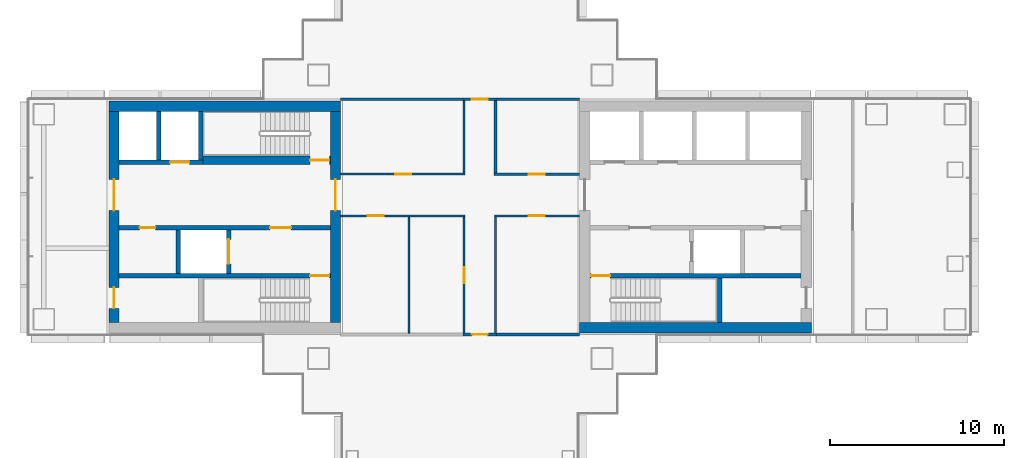
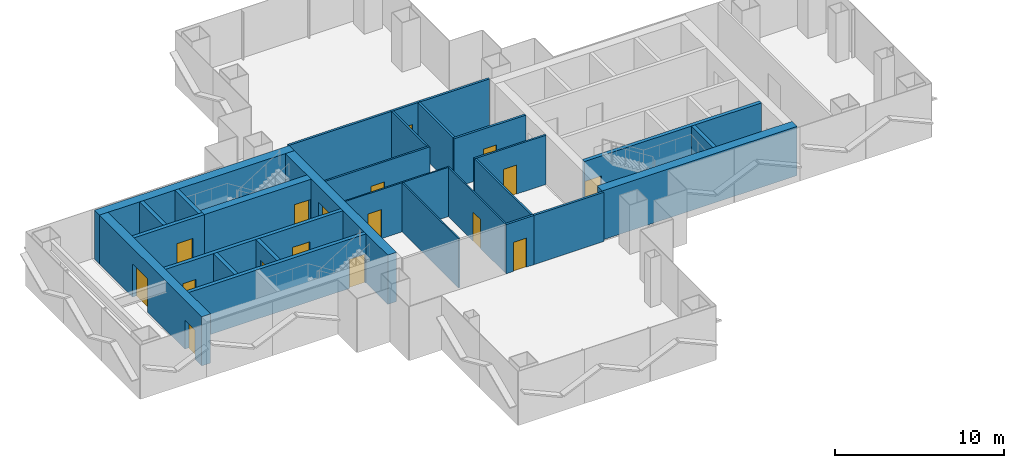
# One storey, part 12 of 18: 28 walls, 17 doors, 17 openings.
"""IFC4 building model written with IfcOpenShell, lengths in metres."""

import ifcopenshell
import ifcopenshell.guid

model = None  # the IFC model being written
_history = None  # IfcOwnerHistory: only IFC2X3 demands one
_inside = {}  # id of a spatial element -> (the spatial element, [elements in it])
_under = {}  # id of a project, library or spatial element -> (it, [spatial elements below it])
_declared = {}  # id of a project -> (the project, [libraries it declares])
_typed = {}  # id of a type object -> (the type object, [elements of that type])
_made_of = {}  # id of a material, layer set ... -> (it, [elements and type objects made of it])


def new_model(schema):
    """Start an empty IFC model of exactly this schema.

    Asked for "IFC4X3", IfcOpenShell would pick the latest addendum, in which some entities
    have other attributes; the version numbers below select the first issue.
    IFC2X3 requires an IfcOwnerHistory on every rooted entity: one is made here for all.
    """
    global model, _history
    if schema == "IFC4X3":
        model = ifcopenshell.file(schema_version=(4, 3, 0, 0))
    else:
        model = ifcopenshell.file(schema=schema)
    _inside.clear()
    _under.clear()
    _declared.clear()
    _typed.clear()
    _made_of.clear()
    _history = None
    if model.schema == "IFC2X3":
        org = make("IfcOrganization", Name="unknown")
        user = make(
            "IfcPersonAndOrganization",
            ThePerson=make("IfcPerson", FamilyName="unknown"),
            TheOrganization=org,
        )
        app = make(
            "IfcApplication",
            ApplicationDeveloper=org,
            Version="unknown",
            ApplicationFullName="unknown",
            ApplicationIdentifier="unknown",
        )
        _history = make(
            "IfcOwnerHistory",
            OwningUser=user,
            OwningApplication=app,
            ChangeAction="ADDED",
            CreationDate=0,
        )
    return model


def make(cls, **values):
    """One entity of the class cls with the attributes given. An attribute that is None is left unset."""
    return model.create_entity(
        cls, **{name: value for name, value in values.items() if value is not None}
    )


def rooted(cls, **values):
    """An entity with a GlobalId (a new one), such as an element, a storey or a relation."""
    return make(cls, GlobalId=ifcopenshell.guid.new(), OwnerHistory=_history, **values)


def si_unit(unit_type, name, prefix=None):
    """IfcSIUnit, for example si_unit("LENGTHUNIT", "METRE", prefix="MILLI")."""
    return make("IfcSIUnit", UnitType=unit_type, Prefix=prefix, Name=name)


def assignment(units):
    """IfcUnitAssignment: the units of a project."""
    return None if units is None else make("IfcUnitAssignment", Units=units)


def point(xyz):
    """IfcCartesianPoint."""
    return None if xyz is None else make("IfcCartesianPoint", Coordinates=xyz)


def direction(xyz):
    """IfcDirection."""
    return None if xyz is None else make("IfcDirection", DirectionRatios=xyz)


def frame(location, z_axis=None, x_axis=None):
    """IfcAxis2Placement3D, a coordinate frame: its origin and axes. An axis left out is left unset."""
    return make(
        "IfcAxis2Placement3D",
        Location=point(location),
        Axis=direction(z_axis),
        RefDirection=direction(x_axis),
    )


def frame_2d(location, x_axis=None):
    """IfcAxis2Placement2D, a coordinate frame in the plane: its origin and x axis."""
    return make(
        "IfcAxis2Placement2D", Location=point(location), RefDirection=direction(x_axis)
    )


def origin():
    """The frame at (0, 0, 0) with its axes left unset."""
    return frame((0.0, 0.0, 0.0))


def place(relative_to, where):
    """IfcLocalPlacement: puts the frame where relative to a parent placement (None: the world)."""
    return make(
        "IfcLocalPlacement", PlacementRelTo=relative_to, RelativePlacement=where
    )


def context(
    kind, dimensions, precision=None, world=None, true_north=None, identifier=None
):
    """IfcGeometricRepresentationContext, for example the 3D "Model" context."""
    return make(
        "IfcGeometricRepresentationContext",
        ContextIdentifier=identifier,
        ContextType=kind,
        CoordinateSpaceDimension=dimensions,
        Precision=precision,
        WorldCoordinateSystem=world,
        TrueNorth=true_north,
    )


def subcontext(parent, identifier, kind, view, scale=None):
    """IfcGeometricRepresentationSubContext, for example "Body" below "Model"."""
    return make(
        "IfcGeometricRepresentationSubContext",
        ContextIdentifier=identifier,
        ContextType=kind,
        ParentContext=parent,
        TargetScale=scale,
        TargetView=view,
    )


def project(units=None, contexts=None):
    """IfcProject with its units and contexts."""
    return rooted(
        "IfcProject",
        Name="project",
        RepresentationContexts=contexts,
        UnitsInContext=assignment(units),
    )


def spatial(cls, under=None, at=None, **own):
    """A site, building, storey or space (cls), placed at a placement, below another one or the project."""
    s = rooted(cls, ObjectPlacement=at, **own)
    if under is not None:
        _under.setdefault(under.id(), (under, []))[1].append(s)
    return s


def profile(cls, at=None, kind="AREA", **sizes):
    """A parametric profile (cls). Its sizes go by their IFC names, for example OverallWidth=200.0."""
    return make(cls, ProfileType=kind, Position=at, **sizes)


def rectangle(**sizes):
    """IfcRectangleProfileDef."""
    return profile("IfcRectangleProfileDef", **sizes)


def extrude(swept, where, along, depth):
    """IfcExtrudedAreaSolid: the profile swept, set in the frame where, extruded along a direction by depth."""
    return make(
        "IfcExtrudedAreaSolid",
        SweptArea=swept,
        Position=where,
        ExtrudedDirection=direction(along),
        Depth=depth,
    )


def shape(context_of_items, identifier, shape_type, items):
    """IfcShapeRepresentation: the items that make up one representation, for example the "Body"."""
    return make(
        "IfcShapeRepresentation",
        ContextOfItems=context_of_items,
        RepresentationIdentifier=identifier,
        RepresentationType=shape_type,
        Items=items,
    )


def material(Name=None, Category=None):
    """IfcMaterial."""
    return make("IfcMaterial", Name=Name, Category=Category)


def layer(
    of_material, thickness, ventilated=None, Name=None, Category=None, Priority=None
):
    """IfcMaterialLayer: one layer of a wall or slab, of a material (None: an air gap)."""
    return make(
        "IfcMaterialLayer",
        Material=of_material,
        LayerThickness=thickness,
        IsVentilated=ventilated,
        Name=Name,
        Category=Category,
        Priority=Priority,
    )


def layer_set(layers, Name=None):
    """IfcMaterialLayerSet."""
    return make("IfcMaterialLayerSet", MaterialLayers=layers, LayerSetName=Name)


def made_of(thing, what):
    """Note that an element or type object is made of a material, layer set ...; save() writes the relation."""
    if what is not None:
        _made_of.setdefault(what.id(), (what, []))[1].append(thing)
    return thing


def type_object(cls, material=None, **own):
    """A type object (cls), such as IfcWallType, which elements share."""
    return made_of(rooted(cls, **own), material)


def element(
    cls,
    number,
    at=None,
    inside=None,
    cuts=None,
    type_object=None,
    material=None,
    context=None,
    identifier="Body",
    shape_type=None,
    held_by="IfcProductDefinitionShape",
    body=None,
    shapes=None,
    **own,
):
    """One element of the class cls, such as IfcWall. Its Tag is "e" and its number.

    at: its placement. inside: the storey or other place that contains it. cuts: it is an
    opening in that element (IfcRelVoidsElement). A single representation is given by context,
    identifier, shape_type and body (its items); several are given by shapes. held_by: the class
    of the entity that holds the representations. save() writes the other relations.
    """
    e = rooted(cls, Tag="e%d" % number, ObjectPlacement=at, **own)
    if body is not None:
        shapes = [shape(context, identifier, shape_type, body)]
    if shapes is not None:
        e.Representation = make(held_by, Representations=shapes)
    if inside is not None:
        _inside.setdefault(inside.id(), (inside, []))[1].append(e)
    if cuts is not None:
        rooted(
            "IfcRelVoidsElement", RelatingBuildingElement=cuts, RelatedOpeningElement=e
        )
    if type_object is not None:
        _typed.setdefault(type_object.id(), (type_object, []))[1].append(e)
    return made_of(e, material)


def fill(opening, filler):
    """IfcRelFillsElement: the door or window that sits in an opening."""
    return rooted(
        "IfcRelFillsElement",
        RelatingOpeningElement=opening,
        RelatedBuildingElement=filler,
    )


def aggregate(whole, parts):
    """IfcRelAggregates: a whole, such as a stair, and the parts it consists of."""
    return rooted("IfcRelAggregates", RelatingObject=whole, RelatedObjects=parts)


def save(model, path):
    """Write the relations noted so far, then the file.

    IfcRelAggregates (storeys below a building ...), IfcRelContainedInSpatialStructure (elements
    in a storey), IfcRelDefinesByType, IfcRelAssociatesMaterial and IfcRelDeclares: one each for
    every whole, place, type object, material and project.
    """
    for whole, parts in _under.values():
        aggregate(whole, parts)
    for where, things in _inside.values():
        rooted(
            "IfcRelContainedInSpatialStructure",
            RelatedElements=things,
            RelatingStructure=where,
        )
    for kind, things in _typed.values():
        rooted("IfcRelDefinesByType", RelatedObjects=things, RelatingType=kind)
    for what, things in _made_of.values():
        rooted("IfcRelAssociatesMaterial", RelatedObjects=things, RelatingMaterial=what)
    for by, libraries in _declared.values():
        rooted("IfcRelDeclares", RelatingContext=by, RelatedDefinitions=libraries)
    model.write(path)


model = new_model("IFC4")

# Units and contexts
model_context = context("Model", 3, precision=1e-05, world=origin(), true_north=direction((0.0, 1.0)))
body_context = subcontext(model_context, "Body", "Model", "MODEL_VIEW")
ifc_project = project(units=[si_unit("LENGTHUNIT", "METRE"), si_unit("AREAUNIT", "SQUARE_METRE"), si_unit("VOLUMEUNIT", "CUBIC_METRE"), si_unit("PLANEANGLEUNIT", "RADIAN"), si_unit("MASSUNIT", "GRAM", prefix="KILO")], contexts=[model_context])

# Site, building, storey
site_placement = place(None, origin())
site = spatial("IfcSite", under=ifc_project, at=site_placement, CompositionType="ELEMENT")
building_placement = place(site_placement, origin())
building = spatial("IfcBuilding", under=site, at=building_placement, Name="Shamsa Quay Exchange Towers", CompositionType="ELEMENT")
storey_placement = place(building_placement, frame((0.0, 0.0, 117.0)))
storey = spatial("IfcBuildingStorey", under=building, at=storey_placement, Name="L27", CompositionType="ELEMENT", Elevation=117.0)

# Walls
ifc_material_1 = material(Name="Concrete C70/85", Category="concrete")
ifc_layer_1 = layer(ifc_material_1, 0.60009765625)
ifc_layer_set_1 = layer_set([ifc_layer_1], Name="CORE WALL 600 C70/85")
wall_type_1 = type_object("IfcWallType", Name="CORE WALL 600 C70/85", PredefinedType="SHEAR", material=ifc_layer_set_1)
wall_1_placement = place(storey_placement, frame((-26.89990234375, -6.35009765625, 0.0)))
element("IfcWall", 1, at=wall_1_placement, inside=storey, type_object=wall_type_1, Name="Core wall T1A-R12-PS", PredefinedType="SHEAR", context=body_context, shape_type="SweptSolid", body=[
    extrude(rectangle(XDim=13.2998046875, YDim=0.60009765625, at=frame_2d((6.64990234375, 0.0))), origin(), (0.0, 0.0, 1.0), 3.550048828125),
])
wall_2_placement = place(storey_placement, frame((-40.60009765625, 6.35009765625, 0.0), z_axis=(0.0, 0.0, 1.0), x_axis=(-1.0, 0.0, 0.0)))
element("IfcWall", 2, at=wall_2_placement, inside=storey, type_object=wall_type_1, Name="Core wall T1B-R12-PN", PredefinedType="SHEAR", context=body_context, shape_type="SweptSolid", body=[
    extrude(rectangle(XDim=13.2998046875, YDim=0.60009765625, at=frame_2d((6.64990234375, 0.0))), origin(), (0.0, 0.0, 1.0), 3.550048828125),
])

# Wall, opening, door
wall_3_placement = place(storey_placement, frame((-40.89990234375, -6.050048828125, 0.0), z_axis=(0.0, 0.0, 1.0), x_axis=(0.0, 1.0, 0.0)))
wall_3 = element("IfcWall", 3, at=wall_3_placement, inside=storey, type_object=wall_type_1, Name="Core wall T1B-R12-PF", PredefinedType="SHEAR", context=body_context, shape_type="SweptSolid", body=[
    extrude(rectangle(XDim=12.10009765625, YDim=0.60009765625, at=frame_2d((6.050048828125, 0.0))), origin(), (0.0, 0.0, 1.0), 3.550048828125),
])
opening_1_placement = place(wall_3_placement, frame((6.39990234375, 0.0, 0.0)))
opening_1 = element("IfcOpeningElement", 4, at=opening_1_placement, cuts=wall_3, Name="Opening T1B-R12-LBD01", PredefinedType="OPENING", context=body_context, shape_type="SweptSolid", body=[
    extrude(rectangle(XDim=1.800048828125, YDim=2.39990234375, at=frame_2d((0.89990234375, 1.199951171875))), frame((0.0, 0.31005859375, 0.0), z_axis=(0.0, -1.0, 0.0), x_axis=(1.0, 0.0, 0.0)), (0.0, 0.0, 1.0), 0.6201171875),
])
ifc_material_2 = material(Name="Steel, fire rated", Category="steel")
door_type_1 = type_object("IfcDoorType", Name="LIFT LOBBY DOOR PAIR 1800", OperationType="DOUBLE_DOOR_SINGLE_SWING", PredefinedType="DOOR", material=ifc_material_2)
door_1_placement = place(opening_1_placement, origin())
door_1 = element("IfcDoor", 5, at=door_1_placement, inside=storey, type_object=door_type_1, Name="T1B-R12-LBD01", OperationType="DOUBLE_DOOR_SINGLE_SWING", OverallHeight=2.39990234375, OverallWidth=1.800048828125, PredefinedType="DOOR", context=body_context, shape_type="SweptSolid", body=[
    extrude(rectangle(XDim=1.800048828125, YDim=2.39990234375, at=frame_2d((0.89990234375, 1.199951171875))), frame((0.0, 0.02490234375, 0.0), z_axis=(0.0, -1.0, 0.0), x_axis=(1.0, 0.0, 0.0)), (0.0, 0.0, 1.0), 0.050048828125),
])
fill(opening_1, door_1)

# Wall, openings, doors
wall_4_placement = place(storey_placement, frame((-53.60009765625, -6.050048828125, 0.0), z_axis=(0.0, 0.0, 1.0), x_axis=(0.0, 1.0, 0.0)))
wall_4 = element("IfcWall", 6, at=wall_4_placement, inside=storey, type_object=wall_type_1, Name="Core wall T1B-R12-PB", PredefinedType="SHEAR", context=body_context, shape_type="SweptSolid", body=[
    extrude(rectangle(XDim=12.10009765625, YDim=0.60009765625, at=frame_2d((6.050048828125, 0.0))), origin(), (0.0, 0.0, 1.0), 3.550048828125),
])
opening_2_placement = place(wall_4_placement, frame((0.800048828125, 0.0, 0.0)))
opening_2 = element("IfcOpeningElement", 7, at=opening_2_placement, cuts=wall_4, Name="Opening T1B-R12-RD02", PredefinedType="OPENING", context=body_context, shape_type="SweptSolid", body=[
    extrude(rectangle(XDim=1.199951171875, YDim=2.10009765625, at=frame_2d((0.60009765625, 1.050048828125))), frame((0.0, 0.31005859375, 0.0), z_axis=(0.0, -1.0, 0.0), x_axis=(1.0, 0.0, 0.0)), (0.0, 0.0, 1.0), 0.6201171875),
])
opening_3_placement = place(wall_4_placement, frame((6.39990234375, 0.0, 0.0)))
opening_3 = element("IfcOpeningElement", 8, at=opening_3_placement, cuts=wall_4, Name="Opening T1B-R12-LBD03", PredefinedType="OPENING", context=body_context, shape_type="SweptSolid", body=[
    extrude(rectangle(XDim=1.800048828125, YDim=2.39990234375, at=frame_2d((0.89990234375, 1.199951171875))), frame((0.0, 0.31005859375, 0.0), z_axis=(0.0, -1.0, 0.0), x_axis=(1.0, 0.0, 0.0)), (0.0, 0.0, 1.0), 0.6201171875),
])
door_2_placement = place(opening_3_placement, origin())
door_2 = element("IfcDoor", 9, at=door_2_placement, inside=storey, type_object=door_type_1, Name="T1B-R12-LBD03", OperationType="DOUBLE_DOOR_SINGLE_SWING", OverallHeight=2.39990234375, OverallWidth=1.800048828125, PredefinedType="DOOR", context=body_context, shape_type="SweptSolid", body=[
    extrude(rectangle(XDim=1.800048828125, YDim=2.39990234375, at=frame_2d((0.89990234375, 1.199951171875))), frame((0.0, 0.02490234375, 0.0), z_axis=(0.0, -1.0, 0.0), x_axis=(1.0, 0.0, 0.0)), (0.0, 0.0, 1.0), 0.050048828125),
])
fill(opening_3, door_2)
door_type_2 = type_object("IfcDoorType", Name="RISER ACCESS DOOR 1200", OperationType="SINGLE_SWING_LEFT", PredefinedType="DOOR", material=ifc_material_2)
door_3_placement = place(opening_2_placement, origin())
door_3 = element("IfcDoor", 10, at=door_3_placement, inside=storey, type_object=door_type_2, Name="T1B-R12-RD02", OperationType="SINGLE_SWING_LEFT", OverallHeight=2.10009765625, OverallWidth=1.199951171875, PredefinedType="DOOR", context=body_context, shape_type="SweptSolid", body=[
    extrude(rectangle(XDim=1.199951171875, YDim=2.10009765625, at=frame_2d((0.60009765625, 1.050048828125))), frame((0.0, 0.02490234375, 0.0), z_axis=(0.0, -1.0, 0.0), x_axis=(1.0, 0.0, 0.0)), (0.0, 0.0, 1.0), 0.050048828125),
])
fill(opening_2, door_3)

# Wall, opening, door
ifc_material_3 = material(Name="Laminated fire-resisting glass in a metal frame", Category="glass")
ifc_layer_2 = layer(ifc_material_3, 0.125)
ifc_layer_set_2 = layer_set([ifc_layer_2], Name="Glazed partition 125 mm EI 60")
wall_type_2 = type_object("IfcWallType", Name="Glazed partition 125 mm EI 60", PredefinedType="PARTITIONING", material=ifc_layer_set_2)
wall_5_placement = place(storey_placement, frame((-26.89990234375, 0.0498046875, 0.0), z_axis=(0.0, 0.0, 1.0), x_axis=(-1.0, 0.0, 0.0)))
wall_5 = element("IfcWall", 11, at=wall_5_placement, inside=storey, type_object=wall_type_2, Name="Partition T1-R12-W03", PredefinedType="PARTITIONING", context=body_context, shape_type="SweptSolid", body=[
    extrude(rectangle(XDim=4.88720703125, YDim=0.125, at=frame_2d((2.443603515625, 0.0))), origin(), (0.0, 0.0, 1.0), 3.550048828125),
])
opening_4_placement = place(wall_5_placement, frame((2.01220703125, 0.0, 0.0)))
opening_4 = element("IfcOpeningElement", 12, at=opening_4_placement, cuts=wall_5, Name="Opening T1-R12-D07", PredefinedType="OPENING", context=body_context, shape_type="SweptSolid", body=[
    extrude(rectangle(XDim=0.89990234375, YDim=2.10009765625, at=frame_2d((0.449951171875, 1.050048828125))), frame((0.0, 0.072509765625, 0.0), z_axis=(0.0, -1.0, 0.0), x_axis=(1.0, 0.0, 0.0)), (0.0, 0.0, 1.0), 0.14501953125),
])
ifc_material_4 = material(Name="Timber door leaf in a metal frame", Category="wood")
door_type_3 = type_object("IfcDoorType", Name="Door 900x2100 FD30S", OperationType="NOTDEFINED", PredefinedType="DOOR", material=ifc_material_4)
door_4_placement = place(opening_4_placement, origin())
door_4 = element("IfcDoor", 13, at=door_4_placement, inside=storey, type_object=door_type_3, Name="Door T1-R12-D07", OperationType="SINGLE_SWING_LEFT", OverallHeight=2.10009765625, OverallWidth=0.89990234375, PredefinedType="DOOR", context=body_context, shape_type="SweptSolid", body=[
    extrude(rectangle(XDim=0.89990234375, YDim=2.10009765625, at=frame_2d((0.449951171875, 1.050048828125))), frame((0.0, 0.02490234375, 0.0), z_axis=(0.0, -1.0, 0.0), x_axis=(1.0, 0.0, 0.0)), (0.0, 0.0, 1.0), 0.050048828125),
])
fill(opening_4, door_4)

# Wall
wall_6_placement = place(storey_placement, frame((-31.724609375, -0.0126953125, 0.0), z_axis=(0.0, 0.0, 1.0), x_axis=(0.0, -1.0, 0.0)))
element("IfcWall", 14, at=wall_6_placement, inside=storey, type_object=wall_type_2, Name="Partition T1-R12-W04", PredefinedType="PARTITIONING", context=body_context, shape_type="SweptSolid", body=[
    extrude(rectangle(XDim=6.662353515625, YDim=0.125, at=frame_2d((3.3310546875, 0.0))), origin(), (0.0, 0.0, 1.0), 3.550048828125),
])

# Wall, opening, door
wall_7_placement = place(storey_placement, frame((-40.60009765625, 2.4501953125, 0.0)))
wall_7 = element("IfcWall", 15, at=wall_7_placement, inside=storey, type_object=wall_type_2, Name="Partition T1-R12-W05", PredefinedType="PARTITIONING", context=body_context, shape_type="SweptSolid", body=[
    extrude(rectangle(XDim=7.13720703125, YDim=0.125, at=frame_2d((3.568603515625, 0.0))), origin(), (0.0, 0.0, 1.0), 3.550048828125),
])
opening_5_placement = place(wall_7_placement, frame((3.13720703125, 0.0, 0.0)))
opening_5 = element("IfcOpeningElement", 16, at=opening_5_placement, cuts=wall_7, Name="Opening T1-R12-D01", PredefinedType="OPENING", context=body_context, shape_type="SweptSolid", body=[
    extrude(rectangle(XDim=0.89990234375, YDim=2.10009765625, at=frame_2d((0.449951171875, 1.050048828125))), frame((0.0, 0.072509765625, 0.0), z_axis=(0.0, -1.0, 0.0), x_axis=(1.0, 0.0, 0.0)), (0.0, 0.0, 1.0), 0.14501953125),
])
door_5_placement = place(opening_5_placement, origin())
door_5 = element("IfcDoor", 17, at=door_5_placement, inside=storey, type_object=door_type_3, Name="Door T1-R12-D01", OperationType="SINGLE_SWING_LEFT", OverallHeight=2.10009765625, OverallWidth=0.89990234375, PredefinedType="DOOR", context=body_context, shape_type="SweptSolid", body=[
    extrude(rectangle(XDim=0.89990234375, YDim=2.10009765625, at=frame_2d((0.449951171875, 1.050048828125))), frame((0.0, 0.02490234375, 0.0), z_axis=(0.0, -1.0, 0.0), x_axis=(1.0, 0.0, 0.0)), (0.0, 0.0, 1.0), 0.050048828125),
])
fill(opening_5, door_5)

# Wall
wall_8_placement = place(storey_placement, frame((-33.525390625, 2.5126953125, 0.0), z_axis=(0.0, 0.0, 1.0), x_axis=(0.0, 1.0, 0.0)))
element("IfcWall", 18, at=wall_8_placement, inside=storey, type_object=wall_type_2, Name="Partition T1-R12-W06", PredefinedType="PARTITIONING", context=body_context, shape_type="SweptSolid", body=[
    extrude(rectangle(XDim=4.162353515625, YDim=0.125, at=frame_2d((2.0810546875, 0.0))), origin(), (0.0, 0.0, 1.0), 3.550048828125),
])

# Wall, opening, door
ifc_material_5 = material(Name="Gypsum board partition on metal studs")
ifc_layer_3 = layer(ifc_material_5, 0.10009765625)
ifc_layer_set_3 = layer_set([ifc_layer_3], Name="Partition 100 mm NOT RATED")
wall_type_3 = type_object("IfcWallType", Name="Partition 100 mm NOT RATED", PredefinedType="PARTITIONING", material=ifc_layer_set_3)
wall_9_placement = place(storey_placement, frame((-33.475341796875, 0.0498046875, 0.0), z_axis=(0.0, 0.0, 1.0), x_axis=(-1.0, 0.0, 0.0)))
wall_9 = element("IfcWall", 19, at=wall_9_placement, inside=storey, type_object=wall_type_3, Name="Partition T1-R12-W07", PredefinedType="PARTITIONING", context=body_context, shape_type="SweptSolid", body=[
    extrude(rectangle(XDim=7.124755859375, YDim=0.10009765625, at=frame_2d((3.5625, 0.0))), origin(), (0.0, 0.0, 1.0), 3.550048828125),
])
opening_6_placement = place(wall_9_placement, frame((4.668212890625, 0.0, 0.0)))
opening_6 = element("IfcOpeningElement", 20, at=opening_6_placement, cuts=wall_9, Name="Opening T1-R12-D03", PredefinedType="OPENING", context=body_context, shape_type="SweptSolid", body=[
    extrude(rectangle(XDim=0.89990234375, YDim=2.10009765625, at=frame_2d((0.449951171875, 1.050048828125))), frame((0.0, 0.06005859375, 0.0), z_axis=(0.0, -1.0, 0.0), x_axis=(1.0, 0.0, 0.0)), (0.0, 0.0, 1.0), 0.1201171875),
])
door_type_4 = type_object("IfcDoorType", Name="Door 900x2100 NOT RATED", OperationType="NOTDEFINED", PredefinedType="DOOR", material=ifc_material_4)
door_6_placement = place(opening_6_placement, origin())
door_6 = element("IfcDoor", 21, at=door_6_placement, inside=storey, type_object=door_type_4, Name="Door T1-R12-D03", OperationType="SINGLE_SWING_LEFT", OverallHeight=2.10009765625, OverallWidth=0.89990234375, PredefinedType="DOOR", context=body_context, shape_type="SweptSolid", body=[
    extrude(rectangle(XDim=0.89990234375, YDim=2.10009765625, at=frame_2d((0.449951171875, 1.050048828125))), frame((0.0, 0.02490234375, 0.0), z_axis=(0.0, -1.0, 0.0), x_axis=(1.0, 0.0, 0.0)), (0.0, 0.0, 1.0), 0.050048828125),
])
fill(opening_6, door_6)

wall_10_placement = place(storey_placement, frame((-33.525390625, -6.675048828125, 0.0), z_axis=(0.0, 0.0, 1.0), x_axis=(0.0, 1.0, 0.0)))
wall_10 = element("IfcWall", 22, at=wall_10_placement, inside=storey, type_object=wall_type_3, Name="Partition T1-R12-W08", PredefinedType="PARTITIONING", context=body_context, shape_type="SweptSolid", body=[
    extrude(rectangle(XDim=6.6748046875, YDim=0.10009765625, at=frame_2d((3.33740234375, 0.0))), origin(), (0.0, 0.0, 1.0), 3.550048828125),
])
opening_7_placement = place(wall_10_placement, frame((2.875, 0.0, 0.0)))
opening_7 = element("IfcOpeningElement", 23, at=opening_7_placement, cuts=wall_10, Name="Opening T1-R12-D02", PredefinedType="OPENING", context=body_context, shape_type="SweptSolid", body=[
    extrude(rectangle(XDim=0.89990234375, YDim=2.10009765625, at=frame_2d((0.449951171875, 1.050048828125))), frame((0.0, 0.06005859375, 0.0), z_axis=(0.0, -1.0, 0.0), x_axis=(1.0, 0.0, 0.0)), (0.0, 0.0, 1.0), 0.1201171875),
])
door_7_placement = place(opening_7_placement, origin())
door_7 = element("IfcDoor", 24, at=door_7_placement, inside=storey, type_object=door_type_4, Name="Door T1-R12-D02", OperationType="SINGLE_SWING_RIGHT", OverallHeight=2.10009765625, OverallWidth=0.89990234375, PredefinedType="DOOR", context=body_context, shape_type="SweptSolid", body=[
    extrude(rectangle(XDim=0.89990234375, YDim=2.10009765625, at=frame_2d((0.449951171875, 1.050048828125))), frame((0.0, 0.02490234375, 0.0), z_axis=(0.0, -1.0, 0.0), x_axis=(1.0, 0.0, 0.0)), (0.0, 0.0, 1.0), 0.050048828125),
])
fill(opening_7, door_7)

# Walls
wall_11_placement = place(storey_placement, frame((-36.6875, -6.675048828125, 0.0), z_axis=(0.0, 0.0, 1.0), x_axis=(0.0, 1.0, 0.0)))
element("IfcWall", 25, at=wall_11_placement, inside=storey, type_object=wall_type_3, Name="Partition T1-R12-W16", PredefinedType="PARTITIONING", context=body_context, shape_type="SweptSolid", body=[
    extrude(rectangle(XDim=6.6748046875, YDim=0.10009765625, at=frame_2d((3.33740234375, 0.0))), origin(), (0.0, 0.0, 1.0), 3.550048828125),
])
ifc_layer_4 = layer(ifc_material_5, 0.14990234375)
ifc_layer_set_4 = layer_set([ifc_layer_4], Name="Partition 150 mm EI 60")
wall_type_4 = type_object("IfcWallType", Name="Partition 150 mm EI 60", PredefinedType="PARTITIONING", material=ifc_layer_set_4)
wall_12_placement = place(storey_placement, frame((-31.724609375, 6.675048828125, 0.0), z_axis=(0.0, 0.0, 1.0), x_axis=(0.0, -1.0, 0.0)))
element("IfcWall", 26, at=wall_12_placement, inside=storey, type_object=wall_type_4, Name="Partition T1-R12-W01", PredefinedType="PARTITIONING", context=body_context, shape_type="SweptSolid", body=[
    extrude(rectangle(XDim=4.14990234375, YDim=0.14990234375, at=frame_2d((2.074951171875, 0.0))), origin(), (0.0, 0.0, 1.0), 3.550048828125),
])

# Wall, opening, door
wall_13_placement = place(storey_placement, frame((-31.799560546875, 2.4501953125, 0.0)))
wall_13 = element("IfcWall", 27, at=wall_13_placement, inside=storey, type_object=wall_type_4, Name="Partition T1-R12-W02", PredefinedType="PARTITIONING", context=body_context, shape_type="SweptSolid", body=[
    extrude(rectangle(XDim=4.899658203125, YDim=0.14990234375, at=frame_2d((2.44970703125, 0.0))), origin(), (0.0, 0.0, 1.0), 3.550048828125),
])
opening_8_placement = place(wall_13_placement, frame((1.9873046875, 0.0, 0.0)))
opening_8 = element("IfcOpeningElement", 28, at=opening_8_placement, cuts=wall_13, Name="Opening T1-R12-D06", PredefinedType="OPENING", context=body_context, shape_type="SweptSolid", body=[
    extrude(rectangle(XDim=0.89990234375, YDim=2.10009765625, at=frame_2d((0.449951171875, 1.050048828125))), frame((0.0, 0.0849609375, 0.0), z_axis=(0.0, -1.0, 0.0), x_axis=(1.0, 0.0, 0.0)), (0.0, 0.0, 1.0), 0.169921875),
])
door_8_placement = place(opening_8_placement, origin())
door_8 = element("IfcDoor", 29, at=door_8_placement, inside=storey, type_object=door_type_3, Name="Door T1-R12-D06", OperationType="SINGLE_SWING_LEFT", OverallHeight=2.10009765625, OverallWidth=0.89990234375, PredefinedType="DOOR", context=body_context, shape_type="SweptSolid", body=[
    extrude(rectangle(XDim=0.89990234375, YDim=2.10009765625, at=frame_2d((0.449951171875, 1.050048828125))), frame((0.0, 0.02490234375, 0.0), z_axis=(0.0, -1.0, 0.0), x_axis=(1.0, 0.0, 0.0)), (0.0, 0.0, 1.0), 0.050048828125),
])
fill(opening_8, door_8)

wall_14_placement = place(storey_placement, frame((-33.587890625, 6.75, 0.0)))
wall_14 = element("IfcWall", 30, at=wall_14_placement, inside=storey, type_object=wall_type_4, Name="Partition T1-R12-W09", PredefinedType="PARTITIONING", context=body_context, shape_type="SweptSolid", body=[
    extrude(rectangle(XDim=1.938232421875, YDim=0.14990234375, at=frame_2d((0.96923828125, 0.0))), origin(), (0.0, 0.0, 1.0), 3.550048828125),
])
opening_9_placement = place(wall_14_placement, frame((0.512939453125, 0.0, 0.0)))
opening_9 = element("IfcOpeningElement", 31, at=opening_9_placement, cuts=wall_14, Name="Opening T1-R12-D04", PredefinedType="OPENING", context=body_context, shape_type="SweptSolid", body=[
    extrude(rectangle(XDim=0.89990234375, YDim=2.10009765625, at=frame_2d((0.449951171875, 1.050048828125))), frame((0.0, 0.0849609375, 0.0), z_axis=(0.0, -1.0, 0.0), x_axis=(1.0, 0.0, 0.0)), (0.0, 0.0, 1.0), 0.169921875),
])
door_9_placement = place(opening_9_placement, origin())
door_9 = element("IfcDoor", 32, at=door_9_placement, inside=storey, type_object=door_type_3, Name="Door T1-R12-D04", OperationType="SINGLE_SWING_LEFT", OverallHeight=2.10009765625, OverallWidth=0.89990234375, PredefinedType="DOOR", context=body_context, shape_type="SweptSolid", body=[
    extrude(rectangle(XDim=0.89990234375, YDim=2.10009765625, at=frame_2d((0.449951171875, 1.050048828125))), frame((0.0, 0.02490234375, 0.0), z_axis=(0.0, -1.0, 0.0), x_axis=(1.0, 0.0, 0.0)), (0.0, 0.0, 1.0), 0.050048828125),
])
fill(opening_9, door_9)

wall_15_placement = place(storey_placement, frame((-31.662109375, -6.75, 0.0), z_axis=(0.0, 0.0, 1.0), x_axis=(-1.0, 0.0, 0.0)))
wall_15 = element("IfcWall", 33, at=wall_15_placement, inside=storey, type_object=wall_type_4, Name="Partition T1-R12-W10", PredefinedType="PARTITIONING", context=body_context, shape_type="SweptSolid", body=[
    extrude(rectangle(XDim=1.913330078125, YDim=0.14990234375, at=frame_2d((0.95654296875, 0.0))), origin(), (0.0, 0.0, 1.0), 3.550048828125),
])
opening_10_placement = place(wall_15_placement, frame((0.512939453125, 0.0, 0.0)))
opening_10 = element("IfcOpeningElement", 34, at=opening_10_placement, cuts=wall_15, Name="Opening T1-R12-D05", PredefinedType="OPENING", context=body_context, shape_type="SweptSolid", body=[
    extrude(rectangle(XDim=0.89990234375, YDim=2.10009765625, at=frame_2d((0.449951171875, 1.050048828125))), frame((0.0, 0.0849609375, 0.0), z_axis=(0.0, -1.0, 0.0), x_axis=(1.0, 0.0, 0.0)), (0.0, 0.0, 1.0), 0.169921875),
])
door_10_placement = place(opening_10_placement, origin())
door_10 = element("IfcDoor", 35, at=door_10_placement, inside=storey, type_object=door_type_3, Name="Door T1-R12-D05", OperationType="SINGLE_SWING_RIGHT", OverallHeight=2.10009765625, OverallWidth=0.89990234375, PredefinedType="DOOR", context=body_context, shape_type="SweptSolid", body=[
    extrude(rectangle(XDim=0.89990234375, YDim=2.10009765625, at=frame_2d((0.449951171875, 1.050048828125))), frame((0.0, 0.02490234375, 0.0), z_axis=(0.0, -1.0, 0.0), x_axis=(1.0, 0.0, 0.0)), (0.0, 0.0, 1.0), 0.050048828125),
])
fill(opening_10, door_10)

# Walls
wall_16_placement = place(storey_placement, frame((-26.89990234375, 6.75, 0.0), z_axis=(0.0, 0.0, 1.0), x_axis=(-1.0, 0.0, 0.0)))
element("IfcWall", 36, at=wall_16_placement, inside=storey, type_object=wall_type_4, Name="Partition T1-R12-W12", PredefinedType="PARTITIONING", context=body_context, shape_type="SweptSolid", body=[
    extrude(rectangle(XDim=4.899658203125, YDim=0.14990234375, at=frame_2d((2.44970703125, 0.0))), origin(), (0.0, 0.0, 1.0), 3.550048828125),
])
wall_17_placement = place(storey_placement, frame((-33.462890625, 6.75, 0.0), z_axis=(0.0, 0.0, 1.0), x_axis=(-1.0, 0.0, 0.0)))
element("IfcWall", 37, at=wall_17_placement, inside=storey, type_object=wall_type_4, Name="Partition T1-R12-W13", PredefinedType="PARTITIONING", context=body_context, shape_type="SweptSolid", body=[
    extrude(rectangle(XDim=7.13720703125, YDim=0.14990234375, at=frame_2d((3.568603515625, 0.0))), origin(), (0.0, 0.0, 1.0), 3.550048828125),
])
wall_18_placement = place(storey_placement, frame((-31.787109375, -6.75, 0.0)))
element("IfcWall", 38, at=wall_18_placement, inside=storey, type_object=wall_type_4, Name="Partition T1-R12-W15", PredefinedType="PARTITIONING", context=body_context, shape_type="SweptSolid", body=[
    extrude(rectangle(XDim=4.88720703125, YDim=0.14990234375, at=frame_2d((2.443603515625, 0.0))), origin(), (0.0, 0.0, 1.0), 3.550048828125),
])

# Wall, opening, door
ifc_material_6 = material(Name="Concrete C50/60", Category="concrete")
ifc_layer_5 = layer(ifc_material_6, 0.25)
ifc_layer_set_5 = layer_set([ifc_layer_5], Name="SHAFT WALL 250 C50/60")
wall_type_5 = type_object("IfcWallType", Name="SHAFT WALL 250 C50/60", PredefinedType="SHEAR", material=ifc_layer_set_5)
wall_19_placement = place(storey_placement, frame((-14.199951171875, -3.375, 0.0), z_axis=(0.0, 0.0, 1.0), x_axis=(-1.0, 0.0, 0.0)))
wall_19 = element("IfcWall", 39, at=wall_19_placement, inside=storey, type_object=wall_type_5, Name="Shaft wall T1A-R12-STL", PredefinedType="SHEAR", context=body_context, shape_type="SweptSolid", body=[
    extrude(rectangle(XDim=12.10009765625, YDim=0.25, at=frame_2d((6.050048828125, 0.0))), origin(), (0.0, 0.0, 1.0), 3.550048828125),
])
opening_11_placement = place(wall_19_placement, frame((10.949951171875, 0.0, 0.0)))
opening_11 = element("IfcOpeningElement", 40, at=opening_11_placement, cuts=wall_19, Name="Opening T1A-R12-SD04", PredefinedType="OPENING", context=body_context, shape_type="SweptSolid", body=[
    extrude(rectangle(XDim=1.10009765625, YDim=2.10009765625, at=frame_2d((0.550048828125, 1.050048828125))), frame((0.0, 0.135009765625, 0.0), z_axis=(0.0, -1.0, 0.0), x_axis=(1.0, 0.0, 0.0)), (0.0, 0.0, 1.0), 0.27001953125),
])
door_type_5 = type_object("IfcDoorType", Name="STAIR DOOR 1100", OperationType="SINGLE_SWING_LEFT", PredefinedType="DOOR", material=ifc_material_2)
door_11_placement = place(opening_11_placement, origin())
door_11 = element("IfcDoor", 41, at=door_11_placement, inside=storey, type_object=door_type_5, Name="T1A-R12-SD04", OperationType="SINGLE_SWING_RIGHT", OverallHeight=2.10009765625, OverallWidth=1.10009765625, PredefinedType="DOOR", context=body_context, shape_type="SweptSolid", body=[
    extrude(rectangle(XDim=1.10009765625, YDim=2.10009765625, at=frame_2d((0.550048828125, 1.050048828125))), frame((0.0, 0.02490234375, 0.0), z_axis=(0.0, -1.0, 0.0), x_axis=(1.0, 0.0, 0.0)), (0.0, 0.0, 1.0), 0.050048828125),
])
fill(opening_11, door_11)

# Wall
wall_20_placement = place(storey_placement, frame((-18.875, -6.050048828125, 0.0), z_axis=(0.0, 0.0, 1.0), x_axis=(0.0, 1.0, 0.0)))
element("IfcWall", 42, at=wall_20_placement, inside=storey, type_object=wall_type_5, Name="Shaft wall T1A-R12-STF", PredefinedType="SHEAR", context=body_context, shape_type="SweptSolid", body=[
    extrude(rectangle(XDim=2.550048828125, YDim=0.25, at=frame_2d((1.27490234375, 0.0))), origin(), (0.0, 0.0, 1.0), 3.550048828125),
])

# Wall, opening, door
wall_21_placement = place(storey_placement, frame((-41.199951171875, -3.375, 0.0), z_axis=(0.0, 0.0, 1.0), x_axis=(-1.0, 0.0, 0.0)))
wall_21 = element("IfcWall", 43, at=wall_21_placement, inside=storey, type_object=wall_type_5, Name="Shaft wall T1B-R12-STL", PredefinedType="SHEAR", context=body_context, shape_type="SweptSolid", body=[
    extrude(rectangle(XDim=12.10009765625, YDim=0.25, at=frame_2d((6.050048828125, 0.0))), origin(), (0.0, 0.0, 1.0), 3.550048828125),
])
opening_12_placement = place(wall_21_placement, frame((0.050048828125, 0.0, 0.0)))
opening_12 = element("IfcOpeningElement", 44, at=opening_12_placement, cuts=wall_21, Name="Opening T1B-R12-SD04", PredefinedType="OPENING", context=body_context, shape_type="SweptSolid", body=[
    extrude(rectangle(XDim=1.10009765625, YDim=2.10009765625, at=frame_2d((0.550048828125, 1.050048828125))), frame((0.0, 0.135009765625, 0.0), z_axis=(0.0, -1.0, 0.0), x_axis=(1.0, 0.0, 0.0)), (0.0, 0.0, 1.0), 0.27001953125),
])
door_12_placement = place(opening_12_placement, origin())
door_12 = element("IfcDoor", 45, at=door_12_placement, inside=storey, type_object=door_type_5, Name="T1B-R12-SD04", OperationType="SINGLE_SWING_LEFT", OverallHeight=2.10009765625, OverallWidth=1.10009765625, PredefinedType="DOOR", context=body_context, shape_type="SweptSolid", body=[
    extrude(rectangle(XDim=1.10009765625, YDim=2.10009765625, at=frame_2d((0.550048828125, 1.050048828125))), frame((0.0, 0.02490234375, 0.0), z_axis=(0.0, -1.0, 0.0), x_axis=(1.0, 0.0, 0.0)), (0.0, 0.0, 1.0), 0.050048828125),
])
fill(opening_12, door_12)

# Wall, openings, doors
wall_22_placement = place(storey_placement, frame((-41.199951171875, -0.625, 0.0), z_axis=(0.0, 0.0, 1.0), x_axis=(-1.0, 0.0, 0.0)))
wall_22 = element("IfcWall", 46, at=wall_22_placement, inside=storey, type_object=wall_type_5, Name="Shaft wall T1B-R12-B", PredefinedType="SHEAR", context=body_context, shape_type="SweptSolid", body=[
    extrude(rectangle(XDim=12.10009765625, YDim=0.25, at=frame_2d((6.050048828125, 0.0))), origin(), (0.0, 0.0, 1.0), 3.550048828125),
])
opening_13_placement = place(wall_22_placement, frame((2.25, 0.0, 0.0)))
opening_13 = element("IfcOpeningElement", 47, at=opening_13_placement, cuts=wall_22, Name="Opening T1B-R12-FD05", PredefinedType="OPENING", context=body_context, shape_type="SweptSolid", body=[
    extrude(rectangle(XDim=1.199951171875, YDim=2.10009765625, at=frame_2d((0.60009765625, 1.050048828125))), frame((0.0, 0.135009765625, 0.0), z_axis=(0.0, -1.0, 0.0), x_axis=(1.0, 0.0, 0.0)), (0.0, 0.0, 1.0), 0.27001953125),
])
opening_14_placement = place(wall_22_placement, frame((10.02490234375, 0.0, 0.0)))
opening_14 = element("IfcOpeningElement", 48, at=opening_14_placement, cuts=wall_22, Name="Opening T1B-R12-SV06", PredefinedType="OPENING", context=body_context, shape_type="SweptSolid", body=[
    extrude(rectangle(XDim=0.89990234375, YDim=2.10009765625, at=frame_2d((0.449951171875, 1.050048828125))), frame((0.0, 0.135009765625, 0.0), z_axis=(0.0, -1.0, 0.0), x_axis=(1.0, 0.0, 0.0)), (0.0, 0.0, 1.0), 0.27001953125),
])
door_type_6 = type_object("IfcDoorType", Name="FIRE SERVICE LOBBY DOOR 1200", OperationType="SINGLE_SWING_LEFT", PredefinedType="DOOR", material=ifc_material_2)
door_13_placement = place(opening_13_placement, origin())
door_13 = element("IfcDoor", 49, at=door_13_placement, inside=storey, type_object=door_type_6, Name="T1B-R12-FD05", OperationType="SINGLE_SWING_LEFT", OverallHeight=2.10009765625, OverallWidth=1.199951171875, PredefinedType="DOOR", context=body_context, shape_type="SweptSolid", body=[
    extrude(rectangle(XDim=1.199951171875, YDim=2.10009765625, at=frame_2d((0.60009765625, 1.050048828125))), frame((0.0, 0.02490234375, 0.0), z_axis=(0.0, -1.0, 0.0), x_axis=(1.0, 0.0, 0.0)), (0.0, 0.0, 1.0), 0.050048828125),
])
fill(opening_13, door_13)
door_type_7 = type_object("IfcDoorType", Name="SERVICE ROOM DOOR 900", OperationType="SINGLE_SWING_LEFT", PredefinedType="DOOR", material=ifc_material_2)
door_14_placement = place(opening_14_placement, origin())
door_14 = element("IfcDoor", 50, at=door_14_placement, inside=storey, type_object=door_type_7, Name="T1B-R12-SV06", OperationType="SINGLE_SWING_RIGHT", OverallHeight=2.10009765625, OverallWidth=0.89990234375, PredefinedType="DOOR", context=body_context, shape_type="SweptSolid", body=[
    extrude(rectangle(XDim=0.89990234375, YDim=2.10009765625, at=frame_2d((0.449951171875, 1.050048828125))), frame((0.0, 0.02490234375, 0.0), z_axis=(0.0, -1.0, 0.0), x_axis=(1.0, 0.0, 0.0)), (0.0, 0.0, 1.0), 0.050048828125),
])
fill(opening_14, door_14)

# Wall, opening, door
wall_23_placement = place(storey_placement, frame((-47.02490234375, -3.25, 0.0), z_axis=(0.0, 0.0, 1.0), x_axis=(0.0, 1.0, 0.0)))
wall_23 = element("IfcWall", 51, at=wall_23_placement, inside=storey, type_object=wall_type_5, Name="Shaft wall T1B-R12-FFF", PredefinedType="SHEAR", context=body_context, shape_type="SweptSolid", body=[
    extrude(rectangle(XDim=2.5, YDim=0.25, at=frame_2d((1.25, 0.0))), origin(), (0.0, 0.0, 1.0), 3.550048828125),
])
opening_15_placement = place(wall_23_placement, frame((0.550048828125, 0.0, 0.0)))
opening_15 = element("IfcOpeningElement", 52, at=opening_15_placement, cuts=wall_23, Name="Opening T1B-R12-LDG07", PredefinedType="OPENING", context=body_context, shape_type="SweptSolid", body=[
    extrude(rectangle(XDim=1.39990234375, YDim=2.39990234375, at=frame_2d((0.699951171875, 1.199951171875))), frame((0.0, 0.135009765625, 0.0), z_axis=(0.0, -1.0, 0.0), x_axis=(1.0, 0.0, 0.0)), (0.0, 0.0, 1.0), 0.27001953125),
])
door_type_8 = type_object("IfcDoorType", Name="GOODS LIFT LANDING DOOR 1400", OperationType="SLIDING_TO_LEFT", PredefinedType="DOOR", material=ifc_material_2)
door_15_placement = place(opening_15_placement, origin())
door_15 = element("IfcDoor", 53, at=door_15_placement, inside=storey, type_object=door_type_8, Name="T1B-R12-LDG07", OperationType="SLIDING_TO_LEFT", OverallHeight=2.39990234375, OverallWidth=1.39990234375, PredefinedType="DOOR", context=body_context, shape_type="SweptSolid", body=[
    extrude(rectangle(XDim=1.39990234375, YDim=2.39990234375, at=frame_2d((0.699951171875, 1.199951171875))), frame((0.0, 0.02490234375, 0.0), z_axis=(0.0, -1.0, 0.0), x_axis=(1.0, 0.0, 0.0)), (0.0, 0.0, 1.0), 0.050048828125),
])
fill(opening_15, door_15)

# Wall
wall_24_placement = place(storey_placement, frame((-49.925048828125, -3.25, 0.0), z_axis=(0.0, 0.0, 1.0), x_axis=(0.0, 1.0, 0.0)))
element("IfcWall", 54, at=wall_24_placement, inside=storey, type_object=wall_type_5, Name="Shaft wall T1B-R12-FFB", PredefinedType="SHEAR", context=body_context, shape_type="SweptSolid", body=[
    extrude(rectangle(XDim=2.5, YDim=0.25, at=frame_2d((1.25, 0.0))), origin(), (0.0, 0.0, 1.0), 3.550048828125),
])

# Wall, opening, door
wall_25_placement = place(storey_placement, frame((-48.5, 3.125, 0.0), z_axis=(0.0, 0.0, 1.0), x_axis=(-1.0, 0.0, 0.0)))
wall_25 = element("IfcWall", 55, at=wall_25_placement, inside=storey, type_object=wall_type_5, Name="Shaft wall T1B-R12-N2", PredefinedType="SHEAR", context=body_context, shape_type="SweptSolid", body=[
    extrude(rectangle(XDim=4.800048828125, YDim=0.25, at=frame_2d((2.39990234375, 0.0))), origin(), (0.0, 0.0, 1.0), 3.550048828125),
])
opening_16_placement = place(wall_25_placement, frame((0.77490234375, 0.0, 0.0)))
opening_16 = element("IfcOpeningElement", 56, at=opening_16_placement, cuts=wall_25, Name="Opening T1B-R12-LD09", PredefinedType="OPENING", context=body_context, shape_type="SweptSolid", body=[
    extrude(rectangle(XDim=1.10009765625, YDim=2.10009765625, at=frame_2d((0.550048828125, 1.050048828125))), frame((0.0, 0.135009765625, 0.0), z_axis=(0.0, -1.0, 0.0), x_axis=(1.0, 0.0, 0.0)), (0.0, 0.0, 1.0), 0.27001953125),
])
door_type_9 = type_object("IfcDoorType", Name="LANDING DOOR 1100", OperationType="SLIDING_TO_LEFT", PredefinedType="DOOR", material=ifc_material_2)
door_16_placement = place(opening_16_placement, origin())
door_16 = element("IfcDoor", 57, at=door_16_placement, inside=storey, type_object=door_type_9, Name="T1B-R12-LD09", OperationType="SLIDING_TO_LEFT", OverallHeight=2.10009765625, OverallWidth=1.10009765625, PredefinedType="DOOR", context=body_context, shape_type="SweptSolid", body=[
    extrude(rectangle(XDim=1.10009765625, YDim=2.10009765625, at=frame_2d((0.550048828125, 1.050048828125))), frame((0.0, 0.02490234375, 0.0), z_axis=(0.0, -1.0, 0.0), x_axis=(1.0, 0.0, 0.0)), (0.0, 0.0, 1.0), 0.050048828125),
])
fill(opening_16, door_16)

# Walls
for number, where, z_axis, x_axis, name in (
    (58, (-48.625, 3.25, 0.0), (0.0, 0.0, 1.0), (0.0, 1.0, 0.0), "Shaft wall T1B-R12-STF2"),
    (59, (-51.02490234375, 3.25, 0.0), (0.0, 0.0, 1.0), (0.0, 1.0, 0.0), "Shaft wall T1B-R12-D0"),
):
    element("IfcWall", number, at=place(storey_placement, frame(where, z_axis=z_axis, x_axis=x_axis)), inside=storey, type_object=wall_type_5, Name=name, PredefinedType="SHEAR", context=body_context, shape_type="SweptSolid", body=[
        extrude(rectangle(XDim=2.800048828125, YDim=0.25, at=frame_2d((1.39990234375, 0.0))), origin(), (0.0, 0.0, 1.0), 3.550048828125),
    ])

# Wall, opening, door
ifc_layer_6 = layer(ifc_material_6, 0.5)
ifc_layer_set_6 = layer_set([ifc_layer_6], Name="SHAFT WALL 500 C50/60")
wall_type_6 = type_object("IfcWallType", Name="SHAFT WALL 500 C50/60", PredefinedType="SHEAR", material=ifc_layer_set_6)
wall_26_placement = place(storey_placement, frame((-48.5, 3.25, 0.0)))
wall_26 = element("IfcWall", 60, at=wall_26_placement, inside=storey, type_object=wall_type_6, Name="Shaft wall T1B-R12-N", PredefinedType="SHEAR", context=body_context, shape_type="SweptSolid", body=[
    extrude(rectangle(XDim=7.300048828125, YDim=0.5, at=frame_2d((3.64990234375, 0.0))), origin(), (0.0, 0.0, 1.0), 3.550048828125),
])
opening_17_placement = place(wall_26_placement, frame((6.14990234375, 0.0, 0.0)))
opening_17 = element("IfcOpeningElement", 61, at=opening_17_placement, cuts=wall_26, Name="Opening T1B-R12-SD08", PredefinedType="OPENING", context=body_context, shape_type="SweptSolid", body=[
    extrude(rectangle(XDim=1.10009765625, YDim=2.10009765625, at=frame_2d((0.550048828125, 1.050048828125))), frame((0.0, 0.260009765625, 0.0), z_axis=(0.0, -1.0, 0.0), x_axis=(1.0, 0.0, 0.0)), (0.0, 0.0, 1.0), 0.52001953125),
])
door_17_placement = place(opening_17_placement, origin())
door_17 = element("IfcDoor", 62, at=door_17_placement, inside=storey, type_object=door_type_5, Name="T1B-R12-SD08", OperationType="SINGLE_SWING_RIGHT", OverallHeight=2.10009765625, OverallWidth=1.10009765625, PredefinedType="DOOR", context=body_context, shape_type="SweptSolid", body=[
    extrude(rectangle(XDim=1.10009765625, YDim=2.10009765625, at=frame_2d((0.550048828125, 1.050048828125))), frame((0.0, 0.02490234375, 0.0), z_axis=(0.0, -1.0, 0.0), x_axis=(1.0, 0.0, 0.0)), (0.0, 0.0, 1.0), 0.050048828125),
])
fill(opening_17, door_17)

save(model, "model.ifc")
